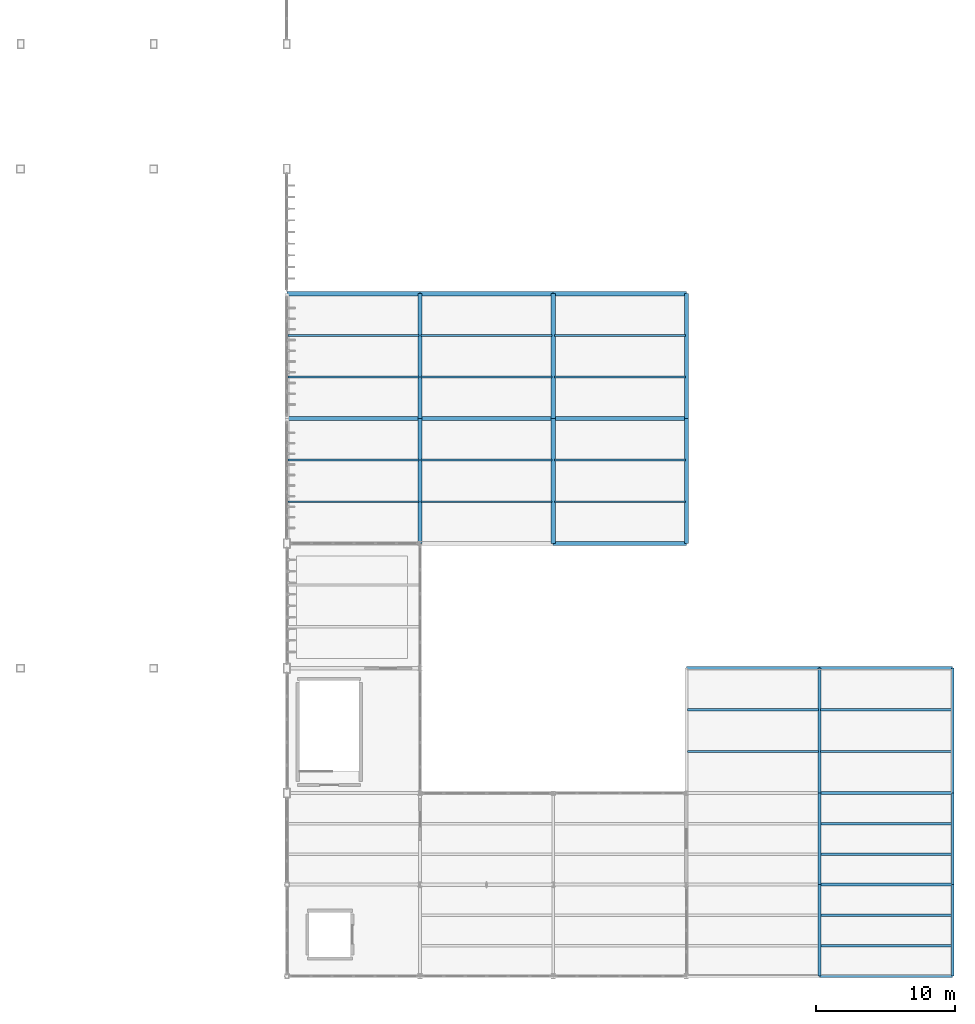
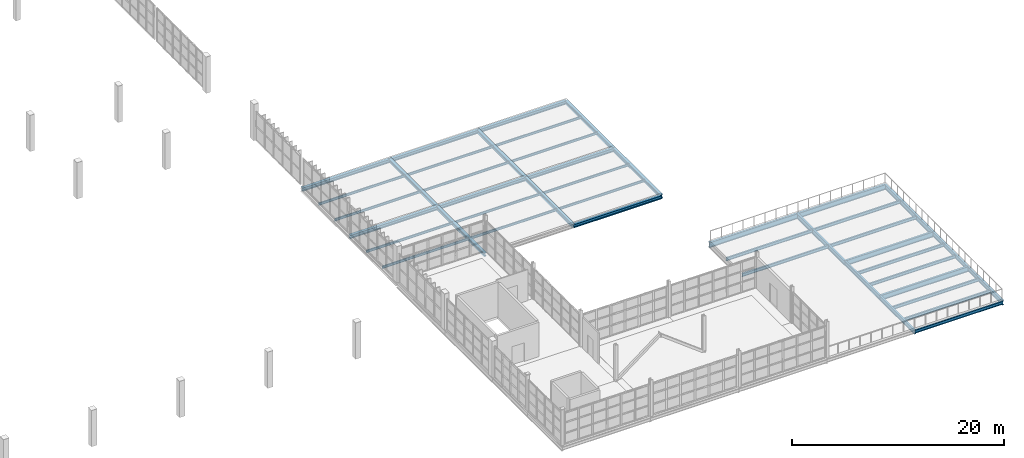
# One storey, part 47 of 82: 44 beams.
"""IFC4 building model written with IfcOpenShell, lengths in metres."""

from ifc_helpers import new_model, si_unit, direction, frame, origin, origin_2d, place, context, subcontext, project, spatial, i_section, extrude, material, material_profile, profile_set, type_object, element, save


model = new_model("IFC4")

# Units and contexts
model_context = context("Model", 3, precision=1e-05, world=origin(), true_north=direction((0.0, 1.0)))
body_context = subcontext(model_context, "Body", "Model", "MODEL_VIEW")
ifc_project = project(units=[si_unit("LENGTHUNIT", "METRE"), si_unit("AREAUNIT", "SQUARE_METRE"), si_unit("VOLUMEUNIT", "CUBIC_METRE"), si_unit("PLANEANGLEUNIT", "RADIAN"), si_unit("MASSUNIT", "GRAM", prefix="KILO")], contexts=[model_context])

# Site, building, storey
site_placement = place(None, origin())
site = spatial("IfcSite", under=ifc_project, at=site_placement, CompositionType="ELEMENT")
building_placement = place(site_placement, origin())
building = spatial("IfcBuilding", under=site, at=building_placement, Name="Zarnetskaya Central Station", CompositionType="ELEMENT")
storey_placement = place(building_placement, frame((0.0, 0.0, 10.199951171875)))
storey = spatial("IfcBuildingStorey", under=building, at=storey_placement, Name="L02", CompositionType="ELEMENT", Elevation=10.199951171875)

# Beams
ifc_material = material(Name="Steel S355", Category="steel")
ifc_material_profile_1 = material_profile(ifc_material, i_section(OverallWidth=0.135009765625, OverallDepth=0.27001953125, WebThickness=0.006591796875, FlangeThickness=0.01025390625, FilletRadius=0.014892578125, at=origin_2d()), Name="IPE 270")
ifc_profile_set_1 = profile_set([ifc_material_profile_1], Name="Steel S355")
beam_type_1 = type_object("IfcBeamType", Name="BM-JST-270", PredefinedType="JOIST", material=ifc_profile_set_1)
for number, where, z_axis, x_axis, name in (
    (1, (124.8798828125, 34.199951171875, -0.344970703125), (1.0, 0.0, 0.0), (0.0, 1.0, 0.0), "Secondary floor beam SEC-L02-Z999-PQ-56-1"),
    (2, (124.8798828125, 37.199951171875, -0.344970703125), (1.0, 0.0, 0.0), (0.0, 1.0, 0.0), "Secondary floor beam SEC-L02-Z999-PQ-56-2"),
    (3, (124.8798828125, 43.199951171875, -0.344970703125), (1.0, 0.0, 0.0), (0.0, 1.0, 0.0), "Secondary floor beam SEC-L02-Z999-PQ-67-1"),
    (4, (124.8798828125, 46.199951171875, -0.344970703125), (1.0, 0.0, 0.0), (0.0, 1.0, 0.0), "Secondary floor beam SEC-L02-Z999-PQ-67-2"),
):
    element("IfcBeam", number, at=place(storey_placement, frame(where, z_axis=z_axis, x_axis=x_axis)), inside=storey, type_object=beam_type_1, Name=name, PredefinedType="JOIST", context=body_context, shape_type="SweptSolid", body=[
        extrude(i_section(OverallWidth=0.135009765625, OverallDepth=0.27001953125, WebThickness=0.006591796875, FlangeThickness=0.01025390625, FilletRadius=0.014892578125, at=origin_2d()), origin(), (0.0, 0.0, 1.0), 9.440185546875),
    ])
for number, where, z_axis, x_axis, name in (
    (5, (134.47998046875, 34.199951171875, -0.344970703125), (1.0, 0.0, 0.0), (0.0, 1.0, 0.0), "Secondary floor beam SEC-L02-Z999-QR-56-1"),
    (6, (134.47998046875, 37.199951171875, -0.344970703125), (1.0, 0.0, 0.0), (0.0, 1.0, 0.0), "Secondary floor beam SEC-L02-Z999-QR-56-2"),
    (7, (134.47998046875, 43.199951171875, -0.344970703125), (1.0, 0.0, 0.0), (0.0, 1.0, 0.0), "Secondary floor beam SEC-L02-Z999-QR-67-1"),
    (8, (134.47998046875, 46.199951171875, -0.344970703125), (1.0, 0.0, 0.0), (0.0, 1.0, 0.0), "Secondary floor beam SEC-L02-Z999-QR-67-2"),
    (9, (144.080078125, 34.199951171875, -0.344970703125), (1.0, 0.0, 0.0), (0.0, 1.0, 0.0), "Secondary floor beam SEC-L02-Z999-RS-56-1"),
    (10, (144.080078125, 37.199951171875, -0.344970703125), (1.0, 0.0, 0.0), (0.0, 1.0, 0.0), "Secondary floor beam SEC-L02-Z999-RS-56-2"),
    (11, (144.080078125, 43.199951171875, -0.344970703125), (1.0, 0.0, 0.0), (0.0, 1.0, 0.0), "Secondary floor beam SEC-L02-Z999-RS-67-1"),
    (12, (144.080078125, 46.199951171875, -0.344970703125), (1.0, 0.0, 0.0), (0.0, 1.0, 0.0), "Secondary floor beam SEC-L02-Z999-RS-67-2"),
):
    element("IfcBeam", number, at=place(storey_placement, frame(where, z_axis=z_axis, x_axis=x_axis)), inside=storey, type_object=beam_type_1, Name=name, PredefinedType="JOIST", context=body_context, shape_type="SweptSolid", body=[
        extrude(i_section(OverallWidth=0.135009765625, OverallDepth=0.27001953125, WebThickness=0.006591796875, FlangeThickness=0.01025390625, FilletRadius=0.014892578125, at=origin_2d()), origin(), (0.0, 0.0, 1.0), 9.43994140625),
    ])
ifc_material_profile_2 = material_profile(ifc_material, i_section(OverallWidth=0.169921875, OverallDepth=0.360107421875, WebThickness=0.008056640625, FlangeThickness=0.0126953125, FilletRadius=0.01806640625, at=origin_2d()), Name="IPE 360")
ifc_profile_set_2 = profile_set([ifc_material_profile_2], Name="Steel S355")
beam_type_2 = type_object("IfcBeamType", Name="BM-SEC-360", PredefinedType="BEAM", material=ifc_profile_set_2)
for number, where, z_axis, x_axis, name in (
    (13, (153.679931640625, 16.199951171875, -0.39990234375), (1.0, 0.0, 0.0), (0.0, 1.0, 0.0), "Secondary floor beam SEC-L02-Z998-ST-34-1"),
    (14, (153.679931640625, 19.199951171875, -0.39990234375), (1.0, 0.0, 0.0), (0.0, 1.0, 0.0), "Secondary floor beam SEC-L02-Z998-ST-34-2"),
):
    element("IfcBeam", number, at=place(storey_placement, frame(where, z_axis=z_axis, x_axis=x_axis)), inside=storey, type_object=beam_type_2, Name=name, PredefinedType="BEAM", context=body_context, shape_type="SweptSolid", body=[
        extrude(i_section(OverallWidth=0.169921875, OverallDepth=0.360107421875, WebThickness=0.008056640625, FlangeThickness=0.0126953125, FilletRadius=0.01806640625, at=origin_2d()), origin(), (0.0, 0.0, 1.0), 9.440185546875),
    ])
for number, where, z_axis, x_axis, name in (
    (15, (163.280029296875, 2.199951171875, -0.39990234375), (1.0, 0.0, 0.0), (0.0, 1.0, 0.0), "Secondary floor beam SEC-L02-Z998-TU-12-1"),
    (16, (163.280029296875, 4.39990234375, -0.39990234375), (1.0, 0.0, 0.0), (0.0, 1.0, 0.0), "Secondary floor beam SEC-L02-Z998-TU-12-2"),
    (17, (163.280029296875, 8.800048828125, -0.39990234375), (1.0, 0.0, 0.0), (0.0, 1.0, 0.0), "Secondary floor beam SEC-L02-Z998-TU-23-1"),
    (18, (163.280029296875, 11.0, -0.39990234375), (1.0, 0.0, 0.0), (0.0, 1.0, 0.0), "Secondary floor beam SEC-L02-Z998-TU-23-2"),
    (19, (163.280029296875, 16.199951171875, -0.39990234375), (1.0, 0.0, 0.0), (0.0, 1.0, 0.0), "Secondary floor beam SEC-L02-Z998-TU-34-1"),
    (20, (163.280029296875, 19.199951171875, -0.39990234375), (1.0, 0.0, 0.0), (0.0, 1.0, 0.0), "Secondary floor beam SEC-L02-Z998-TU-34-2"),
):
    element("IfcBeam", number, at=place(storey_placement, frame(where, z_axis=z_axis, x_axis=x_axis)), inside=storey, type_object=beam_type_2, Name=name, PredefinedType="BEAM", context=body_context, shape_type="SweptSolid", body=[
        extrude(i_section(OverallWidth=0.169921875, OverallDepth=0.360107421875, WebThickness=0.008056640625, FlangeThickness=0.0126953125, FilletRadius=0.01806640625, at=origin_2d()), origin(), (0.0, 0.0, 1.0), 9.43994140625),
    ])
ifc_material_profile_3 = material_profile(ifc_material, i_section(OverallWidth=0.169921875, OverallDepth=0.360107421875, WebThickness=0.008056640625, FlangeThickness=0.0126953125, FilletRadius=0.01806640625, at=origin_2d()), Name="IPE 360")
ifc_profile_set_3 = profile_set([ifc_material_profile_3], Name="Steel S355")
beam_type_3 = type_object("IfcBeamType", Name="BM-SPN-V4", PredefinedType="SPANDREL", material=ifc_profile_set_3)
beam_1_placement = place(storey_placement, frame((163.199951171875, 0.0, -0.39990234375), z_axis=(1.0, 0.0, 0.0), x_axis=(0.0, 1.0, 0.0)))
element("IfcBeam", 21, at=beam_1_placement, inside=storey, type_object=beam_type_3, Name="Grid girder GX-L02-1-TU", PredefinedType="SPANDREL", context=body_context, shape_type="SweptSolid", body=[
    extrude(i_section(OverallWidth=0.169921875, OverallDepth=0.360107421875, WebThickness=0.008056640625, FlangeThickness=0.0126953125, FilletRadius=0.01806640625, at=origin_2d()), origin(), (0.0, 0.0, 1.0), 9.60009765625),
])
ifc_material_profile_4 = material_profile(ifc_material, i_section(OverallWidth=0.199951171875, OverallDepth=0.5, WebThickness=0.01025390625, FlangeThickness=0.01611328125, FilletRadius=0.02099609375, at=origin_2d()), Name="IPE 500")
ifc_profile_set_4 = profile_set([ifc_material_profile_4], Name="Steel S355")
beam_type_4 = type_object("IfcBeamType", Name="GD-FLR-500", PredefinedType="USERDEFINED", material=ifc_profile_set_4)
beam_2_placement = place(storey_placement, frame((163.199951171875, 0.0, -0.469970703125), z_axis=(0.0, 1.0, 0.0), x_axis=(-1.0, 0.0, 0.0)))
element("IfcBeam", 22, at=beam_2_placement, inside=storey, type_object=beam_type_4, Name="Grid girder GY-L02-T-12", ObjectType="GIRDER", PredefinedType="USERDEFINED", context=body_context, shape_type="SweptSolid", body=[
    extrude(i_section(OverallWidth=0.199951171875, OverallDepth=0.5, WebThickness=0.01025390625, FlangeThickness=0.01611328125, FilletRadius=0.02099609375, at=origin_2d()), origin(), (0.0, 0.0, 1.0), 6.60009765625),
])
beam_3_placement = place(storey_placement, frame((163.199951171875, 6.60009765625, -0.469970703125), z_axis=(0.0, 1.0, 0.0), x_axis=(-1.0, 0.0, 0.0)))
element("IfcBeam", 23, at=beam_3_placement, inside=storey, type_object=beam_type_4, Name="Grid girder GY-L02-T-23", ObjectType="GIRDER", PredefinedType="USERDEFINED", context=body_context, shape_type="SweptSolid", body=[
    extrude(i_section(OverallWidth=0.199951171875, OverallDepth=0.5, WebThickness=0.01025390625, FlangeThickness=0.01611328125, FilletRadius=0.02099609375, at=origin_2d()), origin(), (0.0, 0.0, 1.0), 6.599853515625),
])
beam_4_placement = place(storey_placement, frame((172.800048828125, 0.0, -0.469970703125), z_axis=(0.0, 1.0, 0.0), x_axis=(-1.0, 0.0, 0.0)))
element("IfcBeam", 24, at=beam_4_placement, inside=storey, type_object=beam_type_4, Name="Grid girder GY-L02-U-12", ObjectType="GIRDER", PredefinedType="USERDEFINED", context=body_context, shape_type="SweptSolid", body=[
    extrude(i_section(OverallWidth=0.199951171875, OverallDepth=0.5, WebThickness=0.01025390625, FlangeThickness=0.01611328125, FilletRadius=0.02099609375, at=origin_2d()), origin(), (0.0, 0.0, 1.0), 6.60009765625),
])
beam_5_placement = place(storey_placement, frame((172.800048828125, 6.60009765625, -0.469970703125), z_axis=(0.0, 1.0, 0.0), x_axis=(-1.0, 0.0, 0.0)))
element("IfcBeam", 25, at=beam_5_placement, inside=storey, type_object=beam_type_4, Name="Grid girder GY-L02-U-23", ObjectType="GIRDER", PredefinedType="USERDEFINED", context=body_context, shape_type="SweptSolid", body=[
    extrude(i_section(OverallWidth=0.199951171875, OverallDepth=0.5, WebThickness=0.01025390625, FlangeThickness=0.01611328125, FilletRadius=0.02099609375, at=origin_2d()), origin(), (0.0, 0.0, 1.0), 6.599853515625),
])
ifc_material_profile_5 = material_profile(ifc_material, i_section(OverallWidth=0.2099609375, OverallDepth=0.550048828125, WebThickness=0.010986328125, FlangeThickness=0.01708984375, FilletRadius=0.02392578125, at=origin_2d()), Name="IPE 550")
ifc_profile_set_5 = profile_set([ifc_material_profile_5], Name="Steel S355")
beam_type_5 = type_object("IfcBeamType", Name="GD-FLR-550", PredefinedType="USERDEFINED", material=ifc_profile_set_5)
for number, where, z_axis, x_axis, name in (
    (26, (163.199951171875, 13.199951171875, -0.494873046875), (0.0, 1.0, 0.0), (-1.0, 0.0, 0.0), "Grid girder GY-L02-T-34"),
    (27, (172.800048828125, 13.199951171875, -0.494873046875), (0.0, 1.0, 0.0), (-1.0, 0.0, 0.0), "Grid girder GY-L02-U-34"),
):
    element("IfcBeam", number, at=place(storey_placement, frame(where, z_axis=z_axis, x_axis=x_axis)), inside=storey, type_object=beam_type_5, Name=name, ObjectType="GIRDER", PredefinedType="USERDEFINED", context=body_context, shape_type="SweptSolid", body=[
        extrude(i_section(OverallWidth=0.2099609375, OverallDepth=0.550048828125, WebThickness=0.010986328125, FlangeThickness=0.01708984375, FilletRadius=0.02392578125, at=origin_2d()), origin(), (0.0, 0.0, 1.0), 9.0),
    ])
ifc_material_profile_6 = material_profile(ifc_material, i_section(OverallWidth=0.219970703125, OverallDepth=0.60009765625, WebThickness=0.011962890625, FlangeThickness=0.01904296875, FilletRadius=0.02392578125, at=origin_2d()), Name="IPE 600")
ifc_profile_set_6 = profile_set([ifc_material_profile_6], Name="Steel S355")
beam_type_6 = type_object("IfcBeamType", Name="GD-FLR-600", PredefinedType="USERDEFINED", material=ifc_profile_set_6)
beam_6_placement = place(storey_placement, frame((153.60009765625, 22.199951171875, -0.52001953125), z_axis=(1.0, 0.0, 0.0), x_axis=(0.0, 1.0, 0.0)))
element("IfcBeam", 28, at=beam_6_placement, inside=storey, type_object=beam_type_6, Name="Grid girder GX-L02-4-ST", ObjectType="GIRDER", PredefinedType="USERDEFINED", context=body_context, shape_type="SweptSolid", body=[
    extrude(i_section(OverallWidth=0.219970703125, OverallDepth=0.60009765625, WebThickness=0.011962890625, FlangeThickness=0.01904296875, FilletRadius=0.02392578125, at=origin_2d()), origin(), (0.0, 0.0, 1.0), 9.599853515625),
])
for number, where, z_axis, x_axis, name in (
    (29, (163.199951171875, 6.60009765625, -0.52001953125), (1.0, 0.0, 0.0), (0.0, 1.0, 0.0), "Grid girder GX-L02-2-TU"),
    (30, (163.199951171875, 13.199951171875, -0.52001953125), (1.0, 0.0, 0.0), (0.0, 1.0, 0.0), "Grid girder GX-L02-3-TU"),
    (31, (163.199951171875, 22.199951171875, -0.52001953125), (1.0, 0.0, 0.0), (0.0, 1.0, 0.0), "Grid girder GX-L02-4-TU"),
):
    element("IfcBeam", number, at=place(storey_placement, frame(where, z_axis=z_axis, x_axis=x_axis)), inside=storey, type_object=beam_type_6, Name=name, ObjectType="GIRDER", PredefinedType="USERDEFINED", context=body_context, shape_type="SweptSolid", body=[
        extrude(i_section(OverallWidth=0.219970703125, OverallDepth=0.60009765625, WebThickness=0.011962890625, FlangeThickness=0.01904296875, FilletRadius=0.02392578125, at=origin_2d()), origin(), (0.0, 0.0, 1.0), 9.60009765625),
    ])
ifc_material_profile_7 = material_profile(ifc_material, i_section(OverallWidth=0.300048828125, OverallDepth=0.389892578125, WebThickness=0.010986328125, FlangeThickness=0.01904296875, FilletRadius=0.027099609375, at=origin_2d()), Name="HEA 400")
ifc_profile_set_7 = profile_set([ifc_material_profile_7], Name="Steel S355")
beam_type_7 = type_object("IfcBeamType", Name="GD-ROOF-400", PredefinedType="USERDEFINED", material=ifc_profile_set_7)
for number, where, z_axis, x_axis, name in (
    (32, (124.800048828125, 40.199951171875, -0.405029296875), (1.0, 0.0, 0.0), (0.0, 1.0, 0.0), "Grid girder GX-L02-6-PQ"),
    (33, (124.800048828125, 49.199951171875, -0.405029296875), (1.0, 0.0, 0.0), (0.0, 1.0, 0.0), "Grid girder GX-L02-7-PQ"),
):
    element("IfcBeam", number, at=place(storey_placement, frame(where, z_axis=z_axis, x_axis=x_axis)), inside=storey, type_object=beam_type_7, Name=name, ObjectType="GIRDER", PredefinedType="USERDEFINED", context=body_context, shape_type="SweptSolid", body=[
        extrude(i_section(OverallWidth=0.300048828125, OverallDepth=0.389892578125, WebThickness=0.010986328125, FlangeThickness=0.01904296875, FilletRadius=0.027099609375, at=origin_2d()), origin(), (0.0, 0.0, 1.0), 9.599853515625),
    ])
for number, where, z_axis, x_axis, name in (
    (34, (134.39990234375, 31.199951171875, -0.405029296875), (0.0, 1.0, 0.0), (-1.0, 0.0, 0.0), "Grid girder GY-L02-Q-56"),
    (35, (134.39990234375, 40.199951171875, -0.405029296875), (0.0, 1.0, 0.0), (-1.0, 0.0, 0.0), "Grid girder GY-L02-Q-67"),
):
    element("IfcBeam", number, at=place(storey_placement, frame(where, z_axis=z_axis, x_axis=x_axis)), inside=storey, type_object=beam_type_7, Name=name, ObjectType="GIRDER", PredefinedType="USERDEFINED", context=body_context, shape_type="SweptSolid", body=[
        extrude(i_section(OverallWidth=0.300048828125, OverallDepth=0.389892578125, WebThickness=0.010986328125, FlangeThickness=0.01904296875, FilletRadius=0.027099609375, at=origin_2d()), origin(), (0.0, 0.0, 1.0), 9.0),
    ])
for number, where, z_axis, x_axis, name in (
    (36, (134.39990234375, 40.199951171875, -0.405029296875), (1.0, 0.0, 0.0), (0.0, 1.0, 0.0), "Grid girder GX-L02-6-QR"),
    (37, (134.39990234375, 49.199951171875, -0.405029296875), (1.0, 0.0, 0.0), (0.0, 1.0, 0.0), "Grid girder GX-L02-7-QR"),
):
    element("IfcBeam", number, at=place(storey_placement, frame(where, z_axis=z_axis, x_axis=x_axis)), inside=storey, type_object=beam_type_7, Name=name, ObjectType="GIRDER", PredefinedType="USERDEFINED", context=body_context, shape_type="SweptSolid", body=[
        extrude(i_section(OverallWidth=0.300048828125, OverallDepth=0.389892578125, WebThickness=0.010986328125, FlangeThickness=0.01904296875, FilletRadius=0.027099609375, at=origin_2d()), origin(), (0.0, 0.0, 1.0), 9.60009765625),
    ])
beam_7_placement = place(storey_placement, frame((144.0, 31.199951171875, -0.405029296875), z_axis=(0.0, 1.0, 0.0), x_axis=(-1.0, 0.0, 0.0)))
element("IfcBeam", 38, at=beam_7_placement, inside=storey, type_object=beam_type_7, Name="Grid girder GY-L02-R-56", ObjectType="GIRDER", PredefinedType="USERDEFINED", context=body_context, shape_type="SweptSolid", body=[
    extrude(i_section(OverallWidth=0.300048828125, OverallDepth=0.389892578125, WebThickness=0.010986328125, FlangeThickness=0.01904296875, FilletRadius=0.027099609375, at=origin_2d()), origin(), (0.0, 0.0, 1.0), 9.0),
])
beam_8_placement = place(storey_placement, frame((144.0, 31.199951171875, -0.405029296875), z_axis=(1.0, 0.0, 0.0), x_axis=(0.0, 1.0, 0.0)))
element("IfcBeam", 39, at=beam_8_placement, inside=storey, type_object=beam_type_7, Name="Grid girder GX-L02-5-RS", ObjectType="GIRDER", PredefinedType="USERDEFINED", context=body_context, shape_type="SweptSolid", body=[
    extrude(i_section(OverallWidth=0.300048828125, OverallDepth=0.389892578125, WebThickness=0.010986328125, FlangeThickness=0.01904296875, FilletRadius=0.027099609375, at=origin_2d()), origin(), (0.0, 0.0, 1.0), 9.60009765625),
])
beam_9_placement = place(storey_placement, frame((144.0, 40.199951171875, -0.405029296875), z_axis=(0.0, 1.0, 0.0), x_axis=(-1.0, 0.0, 0.0)))
element("IfcBeam", 40, at=beam_9_placement, inside=storey, type_object=beam_type_7, Name="Grid girder GY-L02-R-67", ObjectType="GIRDER", PredefinedType="USERDEFINED", context=body_context, shape_type="SweptSolid", body=[
    extrude(i_section(OverallWidth=0.300048828125, OverallDepth=0.389892578125, WebThickness=0.010986328125, FlangeThickness=0.01904296875, FilletRadius=0.027099609375, at=origin_2d()), origin(), (0.0, 0.0, 1.0), 9.0),
])
for number, where, z_axis, x_axis, name in (
    (41, (144.0, 40.199951171875, -0.405029296875), (1.0, 0.0, 0.0), (0.0, 1.0, 0.0), "Grid girder GX-L02-6-RS"),
    (42, (144.0, 49.199951171875, -0.405029296875), (1.0, 0.0, 0.0), (0.0, 1.0, 0.0), "Grid girder GX-L02-7-RS"),
):
    element("IfcBeam", number, at=place(storey_placement, frame(where, z_axis=z_axis, x_axis=x_axis)), inside=storey, type_object=beam_type_7, Name=name, ObjectType="GIRDER", PredefinedType="USERDEFINED", context=body_context, shape_type="SweptSolid", body=[
        extrude(i_section(OverallWidth=0.300048828125, OverallDepth=0.389892578125, WebThickness=0.010986328125, FlangeThickness=0.01904296875, FilletRadius=0.027099609375, at=origin_2d()), origin(), (0.0, 0.0, 1.0), 9.60009765625),
    ])
for number, where, z_axis, x_axis, name in (
    (43, (153.60009765625, 31.199951171875, -0.405029296875), (0.0, 1.0, 0.0), (-1.0, 0.0, 0.0), "Grid girder GY-L02-S-56"),
    (44, (153.60009765625, 40.199951171875, -0.405029296875), (0.0, 1.0, 0.0), (-1.0, 0.0, 0.0), "Grid girder GY-L02-S-67"),
):
    element("IfcBeam", number, at=place(storey_placement, frame(where, z_axis=z_axis, x_axis=x_axis)), inside=storey, type_object=beam_type_7, Name=name, ObjectType="GIRDER", PredefinedType="USERDEFINED", context=body_context, shape_type="SweptSolid", body=[
        extrude(i_section(OverallWidth=0.300048828125, OverallDepth=0.389892578125, WebThickness=0.010986328125, FlangeThickness=0.01904296875, FilletRadius=0.027099609375, at=origin_2d()), origin(), (0.0, 0.0, 1.0), 9.0),
    ])

save(model, "model.ifc")
